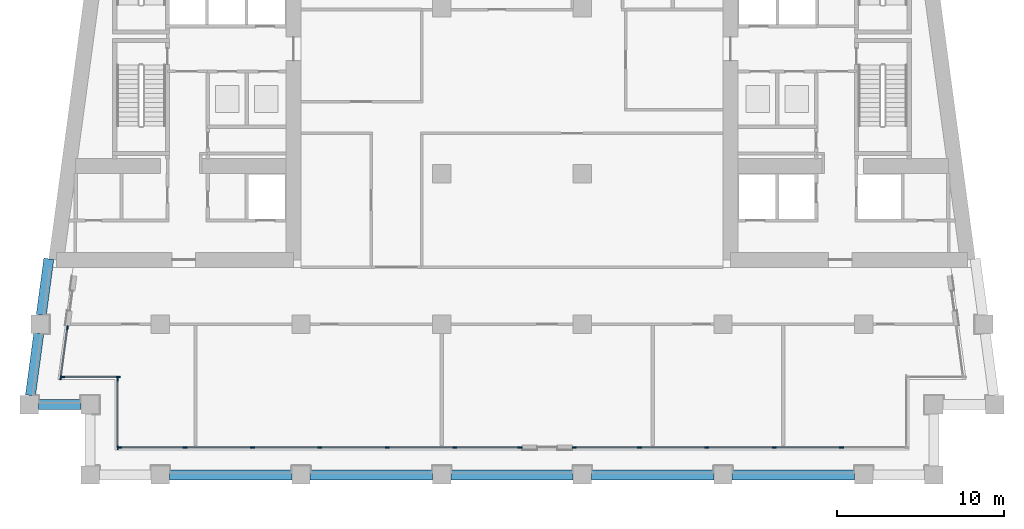
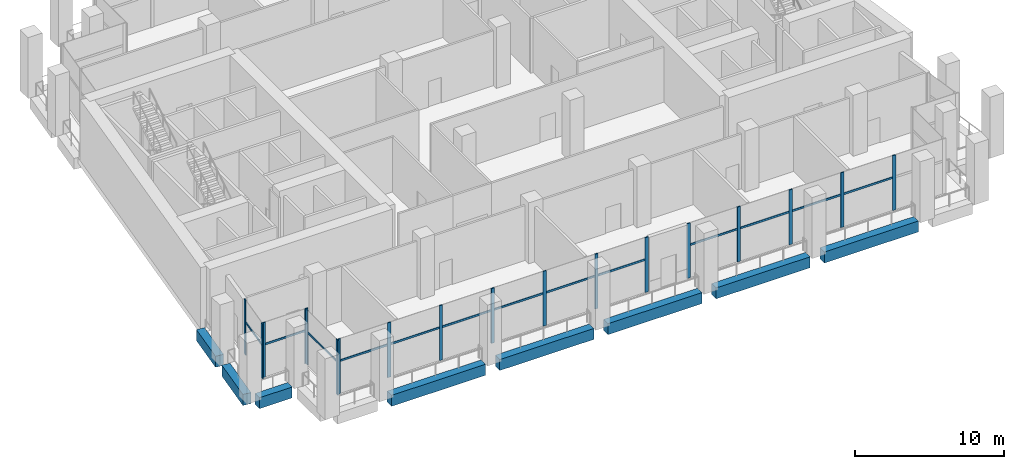
# One storey, part 2 of 16: 31 members, 8 beams, 5 elements without a shape of their own.
"""IFC4 building model written with IfcOpenShell, lengths in metres."""

from ifc_helpers import new_model, si_unit, direction, frame, origin, origin_2d, place, context, subcontext, project, spatial, rectangle, extrude, material, material_profile, profile_set, type_object, element, aggregate, save


model = new_model("IFC4")

# Units and contexts
model_context = context("Model", 3, precision=1e-05, world=origin(), true_north=direction((0.0, 1.0)))
body_context = subcontext(model_context, "Body", "Model", "MODEL_VIEW")
ifc_project = project(units=[si_unit("LENGTHUNIT", "METRE"), si_unit("AREAUNIT", "SQUARE_METRE"), si_unit("VOLUMEUNIT", "CUBIC_METRE"), si_unit("PLANEANGLEUNIT", "RADIAN"), si_unit("MASSUNIT", "GRAM", prefix="KILO")], contexts=[model_context])

# Site, building, storey
site_placement = place(None, origin())
site = spatial("IfcSite", under=ifc_project, at=site_placement, CompositionType="ELEMENT")
building_placement = place(site_placement, origin())
building = spatial("IfcBuilding", under=site, at=building_placement, Name="Candeia Pilgrim Tower and Theatre", CompositionType="ELEMENT")
storey_placement = place(building_placement, frame((0.0, 0.0, 192.199951171875)))
storey = spatial("IfcBuildingStorey", under=building, at=storey_placement, Name="L46", CompositionType="ELEMENT", Elevation=192.199951171875)

# Curtain wall, members
ifc_material_1 = material(Name="Aluminium framed sky lobby glazing", Category="aluminium")
curtain_wall_type = type_object("IfcCurtainWallType", Name="CW-S curtain wall", PredefinedType="NOTDEFINED", material=ifc_material_1)
curtain_wall_1_placement = place(storey_placement, origin())
curtain_wall_1 = element("IfcCurtainWall", 1, at=curtain_wall_1_placement, inside=storey, type_object=curtain_wall_type, Name="Curtain wall CW-S L46.000", PredefinedType="NOTDEFINED")
ifc_material_2 = material(Name="Anodised aluminium", Category="aluminium")
ifc_material_profile_1 = material_profile(ifc_material_2, rectangle(XDim=0.080078125, YDim=0.25, at=origin_2d()))
ifc_profile_set_1 = profile_set([ifc_material_profile_1], Name="Anodised aluminium")
member_type_1 = type_object("IfcMemberType", Name="CW-S mullion 80x250", PredefinedType="MULLION", material=ifc_profile_set_1)
member_1_placement = place(storey_placement, frame((89.97509765625, 99.64990234375, 0.0), z_axis=(0.0, 0.0, 1.0), x_axis=(0.0, 1.0, 0.0)))
member_1 = element("IfcMember", 2, at=member_1_placement, type_object=member_type_1, Name="CW-S mullion 1", PredefinedType="MULLION", context=body_context, shape_type="SweptSolid", body=[
    extrude(rectangle(XDim=0.080078125, YDim=0.25, at=origin_2d()), origin(), (0.0, 0.0, 1.0), 4.5),
])
member_2_placement = place(storey_placement, frame((93.875, 99.64990234375, 0.0), z_axis=(0.0, 0.0, 1.0), x_axis=(0.0, 1.0, 0.0)))
member_2 = element("IfcMember", 3, at=member_2_placement, type_object=member_type_1, Name="CW-S mullion 2", PredefinedType="MULLION", context=body_context, shape_type="SweptSolid", body=[
    extrude(rectangle(XDim=0.080078125, YDim=0.25, at=origin_2d()), origin(), (0.0, 0.0, 1.0), 4.5),
])
member_3_placement = place(storey_placement, frame((97.89990234375, 99.64990234375, 0.0), z_axis=(0.0, 0.0, 1.0), x_axis=(0.0, 1.0, 0.0)))
member_3 = element("IfcMember", 4, at=member_3_placement, type_object=member_type_1, Name="CW-S mullion 3", PredefinedType="MULLION", context=body_context, shape_type="SweptSolid", body=[
    extrude(rectangle(XDim=0.080078125, YDim=0.25, at=origin_2d()), origin(), (0.0, 0.0, 1.0), 4.5),
])
member_4_placement = place(storey_placement, frame((101.925048828125, 99.64990234375, 0.0), z_axis=(0.0, 0.0, 1.0), x_axis=(0.0, 1.0, 0.0)))
member_4 = element("IfcMember", 5, at=member_4_placement, type_object=member_type_1, Name="CW-S mullion 4", PredefinedType="MULLION", context=body_context, shape_type="SweptSolid", body=[
    extrude(rectangle(XDim=0.080078125, YDim=0.25, at=origin_2d()), origin(), (0.0, 0.0, 1.0), 4.5),
])
member_5_placement = place(storey_placement, frame((105.949951171875, 99.64990234375, 0.0), z_axis=(0.0, 0.0, 1.0), x_axis=(0.0, 1.0, 0.0)))
member_5 = element("IfcMember", 6, at=member_5_placement, type_object=member_type_1, Name="CW-S mullion 5", PredefinedType="MULLION", context=body_context, shape_type="SweptSolid", body=[
    extrude(rectangle(XDim=0.080078125, YDim=0.25, at=origin_2d()), origin(), (0.0, 0.0, 1.0), 4.5),
])
member_6_placement = place(storey_placement, frame((109.97509765625, 99.64990234375, 0.0), z_axis=(0.0, 0.0, 1.0), x_axis=(0.0, 1.0, 0.0)))
member_6 = element("IfcMember", 7, at=member_6_placement, type_object=member_type_1, Name="CW-S mullion 6", PredefinedType="MULLION", context=body_context, shape_type="SweptSolid", body=[
    extrude(rectangle(XDim=0.080078125, YDim=0.25, at=origin_2d()), origin(), (0.0, 0.0, 1.0), 4.5),
])
member_7_placement = place(storey_placement, frame((113.875, 99.64990234375, 0.0), z_axis=(0.0, 0.0, 1.0), x_axis=(0.0, 1.0, 0.0)))
member_7 = element("IfcMember", 8, at=member_7_placement, type_object=member_type_1, Name="CW-S mullion 7", PredefinedType="MULLION", context=body_context, shape_type="SweptSolid", body=[
    extrude(rectangle(XDim=0.080078125, YDim=0.25, at=origin_2d()), origin(), (0.0, 0.0, 1.0), 4.5),
])

curtain_wall_2_placement = place(storey_placement, origin())
curtain_wall_2 = element("IfcCurtainWall", 9, at=curtain_wall_2_placement, inside=storey, type_object=curtain_wall_type, Name="Curtain wall CW-S L46.002", PredefinedType="NOTDEFINED")
member_8_placement = place(storey_placement, frame((117.125, 99.64990234375, 0.0), z_axis=(0.0, 0.0, 1.0), x_axis=(0.0, 1.0, 0.0)))
member_8 = element("IfcMember", 10, at=member_8_placement, type_object=member_type_1, Name="CW-S mullion 1", PredefinedType="MULLION", context=body_context, shape_type="SweptSolid", body=[
    extrude(rectangle(XDim=0.080078125, YDim=0.25, at=origin_2d()), origin(), (0.0, 0.0, 1.0), 4.5),
])
member_9_placement = place(storey_placement, frame((121.02001953125, 99.64990234375, 0.0), z_axis=(0.0, 0.0, 1.0), x_axis=(0.0, 1.0, 0.0)))
member_9 = element("IfcMember", 11, at=member_9_placement, type_object=member_type_1, Name="CW-S mullion 2", PredefinedType="MULLION", context=body_context, shape_type="SweptSolid", body=[
    extrude(rectangle(XDim=0.080078125, YDim=0.25, at=origin_2d()), origin(), (0.0, 0.0, 1.0), 4.5),
])
member_10_placement = place(storey_placement, frame((125.0400390625, 99.64990234375, 0.0), z_axis=(0.0, 0.0, 1.0), x_axis=(0.0, 1.0, 0.0)))
member_10 = element("IfcMember", 12, at=member_10_placement, type_object=member_type_1, Name="CW-S mullion 3", PredefinedType="MULLION", context=body_context, shape_type="SweptSolid", body=[
    extrude(rectangle(XDim=0.080078125, YDim=0.25, at=origin_2d()), origin(), (0.0, 0.0, 1.0), 4.5),
])
member_11_placement = place(storey_placement, frame((129.06005859375, 99.64990234375, 0.0), z_axis=(0.0, 0.0, 1.0), x_axis=(0.0, 1.0, 0.0)))
member_11 = element("IfcMember", 13, at=member_11_placement, type_object=member_type_1, Name="CW-S mullion 4", PredefinedType="MULLION", context=body_context, shape_type="SweptSolid", body=[
    extrude(rectangle(XDim=0.080078125, YDim=0.25, at=origin_2d()), origin(), (0.0, 0.0, 1.0), 4.5),
])
member_12_placement = place(storey_placement, frame((133.080078125, 99.64990234375, 0.0), z_axis=(0.0, 0.0, 1.0), x_axis=(0.0, 1.0, 0.0)))
member_12 = element("IfcMember", 14, at=member_12_placement, type_object=member_type_1, Name="CW-S mullion 5", PredefinedType="MULLION", context=body_context, shape_type="SweptSolid", body=[
    extrude(rectangle(XDim=0.080078125, YDim=0.25, at=origin_2d()), origin(), (0.0, 0.0, 1.0), 4.5),
])

curtain_wall_3_placement = place(storey_placement, origin())
curtain_wall_3 = element("IfcCurtainWall", 15, at=curtain_wall_3_placement, inside=storey, type_object=curtain_wall_type, Name="Curtain wall CW-S L46.911", PredefinedType="NOTDEFINED")
member_13_placement = place(storey_placement, frame((86.84814453125, 106.78955078125, 0.0), z_axis=(0.0, 0.0, 1.0), x_axis=(0.991060661622, -0.133412012145, 0.0)))
member_13 = element("IfcMember", 16, at=member_13_placement, type_object=member_type_1, Name="CW-S mullion 1", PredefinedType="MULLION", context=body_context, shape_type="SweptSolid", body=[
    extrude(rectangle(XDim=0.080078125, YDim=0.25, at=origin_2d()), origin(), (0.0, 0.0, 1.0), 4.5),
])
member_14_placement = place(storey_placement, frame((86.4462890625, 103.803955078125, 0.0), z_axis=(0.0, 0.0, 1.0), x_axis=(0.991060661622, -0.133412012145, 0.0)))
member_14 = element("IfcMember", 17, at=member_14_placement, type_object=member_type_1, Name="CW-S mullion 2", PredefinedType="MULLION", context=body_context, shape_type="SweptSolid", body=[
    extrude(rectangle(XDim=0.080078125, YDim=0.25, at=origin_2d()), origin(), (0.0, 0.0, 1.0), 4.5),
])

curtain_wall_4_placement = place(storey_placement, origin())
curtain_wall_4 = element("IfcCurtainWall", 18, at=curtain_wall_4_placement, inside=storey, type_object=curtain_wall_type, Name="Curtain wall CW-S L46.1000", PredefinedType="NOTDEFINED")
member_15_placement = place(storey_placement, frame((86.577392578125, 103.85009765625, 0.0), z_axis=(0.0, 0.0, 1.0), x_axis=(0.0, 1.0, 0.0)))
member_15 = element("IfcMember", 19, at=member_15_placement, type_object=member_type_1, Name="CW-S mullion 1", PredefinedType="MULLION", context=body_context, shape_type="SweptSolid", body=[
    extrude(rectangle(XDim=0.080078125, YDim=0.25, at=origin_2d()), origin(), (0.0, 0.0, 1.0), 4.5),
])
member_16_placement = place(storey_placement, frame((89.875, 103.85009765625, 0.0), z_axis=(0.0, 0.0, 1.0), x_axis=(0.0, 1.0, 0.0)))
member_16 = element("IfcMember", 20, at=member_16_placement, type_object=member_type_1, Name="CW-S mullion 2", PredefinedType="MULLION", context=body_context, shape_type="SweptSolid", body=[
    extrude(rectangle(XDim=0.080078125, YDim=0.25, at=origin_2d()), origin(), (0.0, 0.0, 1.0), 4.5),
])

curtain_wall_5_placement = place(storey_placement, origin())
curtain_wall_5 = element("IfcCurtainWall", 21, at=curtain_wall_5_placement, inside=storey, type_object=curtain_wall_type, Name="Curtain wall CW-S L46.1100", PredefinedType="NOTDEFINED")
member_17_placement = place(storey_placement, frame((89.85009765625, 103.72509765625, 0.0), z_axis=(0.0, 0.0, 1.0), x_axis=(1.0, 0.0, 0.0)))
member_17 = element("IfcMember", 22, at=member_17_placement, type_object=member_type_1, Name="CW-S mullion 1", PredefinedType="MULLION", context=body_context, shape_type="SweptSolid", body=[
    extrude(rectangle(XDim=0.080078125, YDim=0.25, at=origin_2d()), origin(), (0.0, 0.0, 1.0), 4.5),
])
member_18_placement = place(storey_placement, frame((89.85009765625, 99.625, 0.0), z_axis=(0.0, 0.0, 1.0), x_axis=(1.0, 0.0, 0.0)))
member_18 = element("IfcMember", 23, at=member_18_placement, type_object=member_type_1, Name="CW-S mullion 2", PredefinedType="MULLION", context=body_context, shape_type="SweptSolid", body=[
    extrude(rectangle(XDim=0.080078125, YDim=0.25, at=origin_2d()), origin(), (0.0, 0.0, 1.0), 4.5),
])

# Member
ifc_material_profile_2 = material_profile(ifc_material_2, rectangle(XDim=0.080078125, YDim=0.159912109375, at=origin_2d()))
ifc_profile_set_2 = profile_set([ifc_material_profile_2], Name="Anodised aluminium")
member_type_2 = type_object("IfcMemberType", Name="CW-S transom 80x160", PredefinedType="USERDEFINED", material=ifc_profile_set_2)
member_19_placement = place(storey_placement, frame((90.014892578125, 99.64990234375, 2.699951171875), z_axis=(1.0, 0.0, 0.0), x_axis=(0.0, 1.0, 0.0)))
member_19 = element("IfcMember", 24, at=member_19_placement, type_object=member_type_2, Name="CW-S transom 1.1", ObjectType="TRANSOM", PredefinedType="USERDEFINED", context=body_context, shape_type="SweptSolid", body=[
    extrude(rectangle(XDim=0.080078125, YDim=0.159912109375, at=origin_2d()), origin(), (0.0, 0.0, 1.0), 3.820068359375),
])

member_20_placement = place(storey_placement, frame((93.9150390625, 99.64990234375, 2.699951171875), z_axis=(1.0, 0.0, 0.0), x_axis=(0.0, 1.0, 0.0)))
member_20 = element("IfcMember", 25, at=member_20_placement, type_object=member_type_2, Name="CW-S transom 2.1", ObjectType="TRANSOM", PredefinedType="USERDEFINED", context=body_context, shape_type="SweptSolid", body=[
    extrude(rectangle(XDim=0.080078125, YDim=0.159912109375, at=origin_2d()), origin(), (0.0, 0.0, 1.0), 3.945068359375),
])

member_21_placement = place(storey_placement, frame((97.93994140625, 99.64990234375, 2.699951171875), z_axis=(1.0, 0.0, 0.0), x_axis=(0.0, 1.0, 0.0)))
member_21 = element("IfcMember", 26, at=member_21_placement, type_object=member_type_2, Name="CW-S transom 3.1", ObjectType="TRANSOM", PredefinedType="USERDEFINED", context=body_context, shape_type="SweptSolid", body=[
    extrude(rectangle(XDim=0.080078125, YDim=0.159912109375, at=origin_2d()), origin(), (0.0, 0.0, 1.0), 3.945068359375),
])

member_22_placement = place(storey_placement, frame((101.965087890625, 99.64990234375, 2.699951171875), z_axis=(1.0, 0.0, 0.0), x_axis=(0.0, 1.0, 0.0)))
member_22 = element("IfcMember", 27, at=member_22_placement, type_object=member_type_2, Name="CW-S transom 4.1", ObjectType="TRANSOM", PredefinedType="USERDEFINED", context=body_context, shape_type="SweptSolid", body=[
    extrude(rectangle(XDim=0.080078125, YDim=0.159912109375, at=origin_2d()), origin(), (0.0, 0.0, 1.0), 3.94482421875),
])

member_23_placement = place(storey_placement, frame((105.989990234375, 99.64990234375, 2.699951171875), z_axis=(1.0, 0.0, 0.0), x_axis=(0.0, 1.0, 0.0)))
member_23 = element("IfcMember", 28, at=member_23_placement, type_object=member_type_2, Name="CW-S transom 5.1", ObjectType="TRANSOM", PredefinedType="USERDEFINED", context=body_context, shape_type="SweptSolid", body=[
    extrude(rectangle(XDim=0.080078125, YDim=0.159912109375, at=origin_2d()), origin(), (0.0, 0.0, 1.0), 3.945068359375),
])

member_24_placement = place(storey_placement, frame((110.014892578125, 99.64990234375, 2.699951171875), z_axis=(1.0, 0.0, 0.0), x_axis=(0.0, 1.0, 0.0)))
member_24 = element("IfcMember", 29, at=member_24_placement, type_object=member_type_2, Name="CW-S transom 6.1", ObjectType="TRANSOM", PredefinedType="USERDEFINED", context=body_context, shape_type="SweptSolid", body=[
    extrude(rectangle(XDim=0.080078125, YDim=0.159912109375, at=origin_2d()), origin(), (0.0, 0.0, 1.0), 3.820068359375),
])

aggregate(curtain_wall_1, [member_1, member_2, member_3, member_4, member_5, member_6, member_7, member_19, member_20, member_21, member_22, member_23, member_24])

member_25_placement = place(storey_placement, frame((117.1650390625, 99.64990234375, 2.699951171875), z_axis=(1.0, 0.0, 0.0), x_axis=(0.0, 1.0, 0.0)))
member_25 = element("IfcMember", 30, at=member_25_placement, type_object=member_type_2, Name="CW-S transom 1.1", ObjectType="TRANSOM", PredefinedType="USERDEFINED", context=body_context, shape_type="SweptSolid", body=[
    extrude(rectangle(XDim=0.080078125, YDim=0.159912109375, at=origin_2d()), origin(), (0.0, 0.0, 1.0), 3.81494140625),
])

member_26_placement = place(storey_placement, frame((121.06005859375, 99.64990234375, 2.699951171875), z_axis=(1.0, 0.0, 0.0), x_axis=(0.0, 1.0, 0.0)))
member_26 = element("IfcMember", 31, at=member_26_placement, type_object=member_type_2, Name="CW-S transom 2.1", ObjectType="TRANSOM", PredefinedType="USERDEFINED", context=body_context, shape_type="SweptSolid", body=[
    extrude(rectangle(XDim=0.080078125, YDim=0.159912109375, at=origin_2d()), origin(), (0.0, 0.0, 1.0), 3.93994140625),
])

member_27_placement = place(storey_placement, frame((125.080078125, 99.64990234375, 2.699951171875), z_axis=(1.0, 0.0, 0.0), x_axis=(0.0, 1.0, 0.0)))
member_27 = element("IfcMember", 32, at=member_27_placement, type_object=member_type_2, Name="CW-S transom 3.1", ObjectType="TRANSOM", PredefinedType="USERDEFINED", context=body_context, shape_type="SweptSolid", body=[
    extrude(rectangle(XDim=0.080078125, YDim=0.159912109375, at=origin_2d()), origin(), (0.0, 0.0, 1.0), 3.93994140625),
])

member_28_placement = place(storey_placement, frame((129.10009765625, 99.64990234375, 2.699951171875), z_axis=(1.0, 0.0, 0.0), x_axis=(0.0, 1.0, 0.0)))
member_28 = element("IfcMember", 33, at=member_28_placement, type_object=member_type_2, Name="CW-S transom 4.1", ObjectType="TRANSOM", PredefinedType="USERDEFINED", context=body_context, shape_type="SweptSolid", body=[
    extrude(rectangle(XDim=0.080078125, YDim=0.159912109375, at=origin_2d()), origin(), (0.0, 0.0, 1.0), 3.93994140625),
])

aggregate(curtain_wall_2, [member_8, member_9, member_10, member_11, member_12, member_25, member_26, member_27, member_28])

member_29_placement = place(storey_placement, frame((86.8427734375, 106.75, 2.699951171875), z_axis=(-0.133445032695, -0.991056215988, 0.0), x_axis=(0.991056215988, -0.133445032695, 0.0)))
member_29 = element("IfcMember", 34, at=member_29_placement, type_object=member_type_2, Name="CW-S transom 1.1", ObjectType="TRANSOM", PredefinedType="USERDEFINED", context=body_context, shape_type="SweptSolid", body=[
    extrude(rectangle(XDim=0.080078125, YDim=0.159912109375, at=origin_2d()), origin(), (0.0, 0.0, 1.0), 2.9326171875),
])

aggregate(curtain_wall_3, [member_13, member_14, member_29])

member_30_placement = place(storey_placement, frame((86.617431640625, 103.85009765625, 2.699951171875), z_axis=(1.0, 0.0, 0.0), x_axis=(0.0, 1.0, 0.0)))
member_30 = element("IfcMember", 35, at=member_30_placement, type_object=member_type_2, Name="CW-S transom 1.1", ObjectType="TRANSOM", PredefinedType="USERDEFINED", context=body_context, shape_type="SweptSolid", body=[
    extrude(rectangle(XDim=0.080078125, YDim=0.159912109375, at=origin_2d()), origin(), (0.0, 0.0, 1.0), 3.217529296875),
])

aggregate(curtain_wall_4, [member_15, member_16, member_30])

member_31_placement = place(storey_placement, frame((89.85009765625, 103.68505859375, 2.699951171875), z_axis=(0.0, -1.0, 0.0), x_axis=(1.0, 0.0, 0.0)))
member_31 = element("IfcMember", 36, at=member_31_placement, type_object=member_type_2, Name="CW-S transom 1.1", ObjectType="TRANSOM", PredefinedType="USERDEFINED", context=body_context, shape_type="SweptSolid", body=[
    extrude(rectangle(XDim=0.080078125, YDim=0.159912109375, at=origin_2d()), origin(), (0.0, 0.0, 1.0), 4.02001953125),
])

aggregate(curtain_wall_5, [member_17, member_18, member_31])

# Beams
ifc_material_3 = material(Name="Concrete C60/75", Category="concrete")
ifc_material_profile_3 = material_profile(ifc_material_3, rectangle(XDim=0.60009765625, YDim=0.89990234375, at=origin_2d()))
ifc_profile_set_3 = profile_set([ifc_material_profile_3], Name="Concrete C60/75")
beam_type = type_object("IfcBeamType", Name="RC 600x900 C60/75", PredefinedType="BEAM", material=ifc_profile_set_3)
beam_1_placement = place(storey_placement, frame((92.949951171875, 98.0, -0.449951171875), z_axis=(1.0, 0.0, 0.0), x_axis=(0.0, 1.0, 0.0)))
element("IfcBeam", 37, at=beam_1_placement, inside=storey, type_object=beam_type, Name="Spandrel beam L46-02", PredefinedType="BEAM", context=body_context, shape_type="SweptSolid", body=[
    extrude(rectangle(XDim=0.60009765625, YDim=0.89990234375, at=origin_2d()), origin(), (0.0, 0.0, 1.0), 7.300048828125),
])
beam_2_placement = place(storey_placement, frame((101.35009765625, 98.0, -0.449951171875), z_axis=(1.0, 0.0, 0.0), x_axis=(0.0, 1.0, 0.0)))
element("IfcBeam", 38, at=beam_2_placement, inside=storey, type_object=beam_type, Name="Spandrel beam L46-03", PredefinedType="BEAM", context=body_context, shape_type="SweptSolid", body=[
    extrude(rectangle(XDim=0.60009765625, YDim=0.89990234375, at=origin_2d()), origin(), (0.0, 0.0, 1.0), 7.2998046875),
])
for number, where, z_axis, x_axis, name in (
    (39, (109.75, 98.0, -0.449951171875), (1.0, 0.0, 0.0), (0.0, 1.0, 0.0), "Spandrel beam L46-04"),
    (40, (118.14990234375, 98.0, -0.449951171875), (1.0, 0.0, 0.0), (0.0, 1.0, 0.0), "Spandrel beam L46-05"),
    (41, (126.550048828125, 98.0, -0.449951171875), (1.0, 0.0, 0.0), (0.0, 1.0, 0.0), "Spandrel beam L46-06"),
):
    element("IfcBeam", number, at=place(storey_placement, frame(where, z_axis=z_axis, x_axis=x_axis)), inside=storey, type_object=beam_type, Name=name, PredefinedType="BEAM", context=body_context, shape_type="SweptSolid", body=[
        extrude(rectangle(XDim=0.60009765625, YDim=0.89990234375, at=origin_2d()), origin(), (0.0, 0.0, 1.0), 7.300048828125),
    ])
beam_3_placement = place(storey_placement, frame((85.73779296875, 110.91015625, -0.449951171875), z_axis=(-0.133361686371, -0.991067434945, 0.0), x_axis=(0.991067434945, -0.133361686371, 0.0)))
element("IfcBeam", 42, at=beam_3_placement, inside=storey, type_object=beam_type, Name="Spandrel beam L46-25", PredefinedType="BEAM", context=body_context, shape_type="SweptSolid", body=[
    extrude(rectangle(XDim=0.60009765625, YDim=0.89990234375, at=origin_2d()), origin(), (0.0, 0.0, 1.0), 3.390380859375),
])
beam_4_placement = place(storey_placement, frame((85.137451171875, 106.449951171875, -0.449951171875), z_axis=(-0.133405836075, -0.991061492997, 0.0), x_axis=(0.991061492997, -0.133405836075, 0.0)))
element("IfcBeam", 43, at=beam_4_placement, inside=storey, type_object=beam_type, Name="Spandrel beam L46-26", PredefinedType="BEAM", context=body_context, shape_type="SweptSolid", body=[
    extrude(rectangle(XDim=0.60009765625, YDim=0.89990234375, at=origin_2d()), origin(), (0.0, 0.0, 1.0), 3.7333984375),
])
beam_5_placement = place(storey_placement, frame((85.115478515625, 102.199951171875, -0.449951171875), z_axis=(1.0, 0.0, 0.0), x_axis=(0.0, 1.0, 0.0)))
element("IfcBeam", 44, at=beam_5_placement, inside=storey, type_object=beam_type, Name="Spandrel beam L46-27", PredefinedType="BEAM", context=body_context, shape_type="SweptSolid", body=[
    extrude(rectangle(XDim=0.60009765625, YDim=0.89990234375, at=origin_2d()), origin(), (0.0, 0.0, 1.0), 2.534423828125),
])

save(model, "model.ifc")
